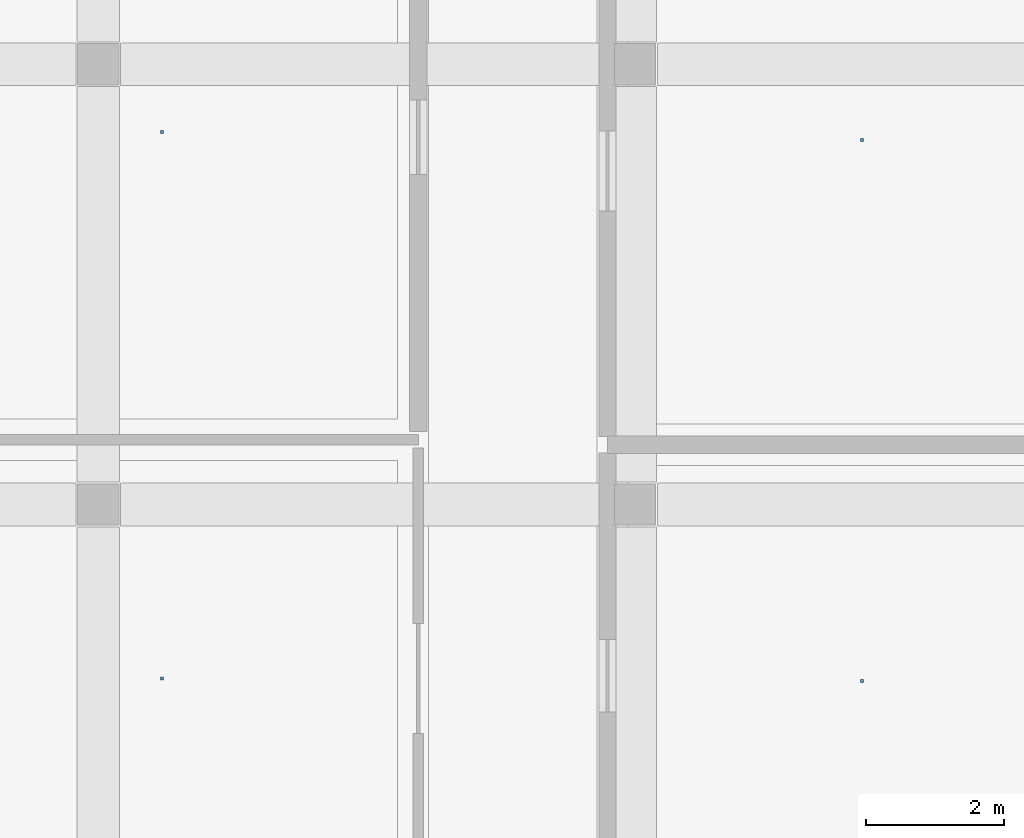
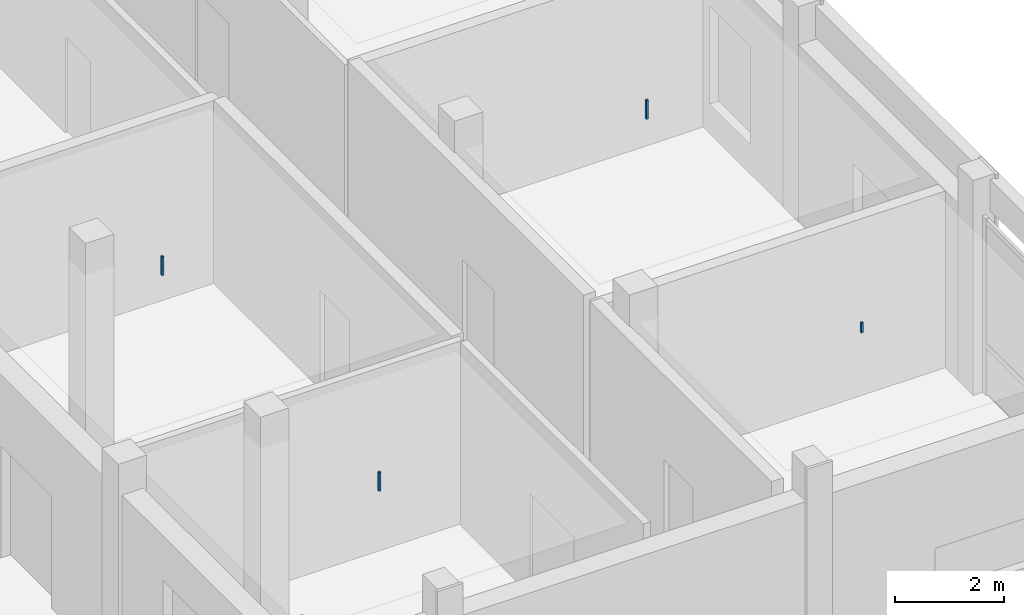
# One storey, part 64 of 88: 4 discrete accessories.
"""IFC4 building model written with IfcOpenShell, lengths in metres."""

from ifc_helpers import new_model, si_unit, derived_unit, direction, frame, origin, origin_2d, place, context, subcontext, project, spatial, rectangle, extrude, material, type_object, element, save


model = new_model("IFC4")

# Units and contexts
model_context = context("Model", 3, precision=1e-05, world=origin(), true_north=direction((0.0, 1.0)))
body_context = subcontext(model_context, "Body", "Model", "MODEL_VIEW")
ifc_project = project(units=[si_unit("LENGTHUNIT", "METRE"), si_unit("AREAUNIT", "SQUARE_METRE"), si_unit("VOLUMEUNIT", "CUBIC_METRE"), si_unit("PLANEANGLEUNIT", "RADIAN"), si_unit("MASSUNIT", "GRAM", prefix="KILO"), derived_unit("THERMALTRANSMITTANCEUNIT", [(si_unit("POWERUNIT", "WATT"), 1), (si_unit("LENGTHUNIT", "METRE"), -2), (si_unit("THERMODYNAMICTEMPERATUREUNIT", "KELVIN"), -1)])], contexts=[model_context])

# Site, building, storey
site_placement = place(None, origin())
site = spatial("IfcSite", under=ifc_project, at=site_placement, CompositionType="ELEMENT")
building_placement = place(site_placement, origin())
building = spatial("IfcBuilding", under=site, at=building_placement, Name="Braskholm Square Health Centre", CompositionType="ELEMENT")
storey_placement = place(building_placement, origin())
storey = spatial("IfcBuildingStorey", under=building, at=storey_placement, Name="L01", CompositionType="ELEMENT", Elevation=0.0)

# Discrete accessories
ifc_material = material(Name="Steel ASTM A500 Grade C", Category="steel")
discrete_accessory_type = type_object("IfcDiscreteAccessoryType", Name="CeilingSuspensionBracket", PredefinedType="BRACKET", material=ifc_material)
discrete_accessory_placement = place(storey_placement, frame((159.89697265625, 8.034912109375, 4.08203125), z_axis=(0.0, 0.0, 1.0), x_axis=(1.0, 0.0, 0.0)))
element("IfcDiscreteAccessory", 1, at=discrete_accessory_placement, inside=storey, type_object=discrete_accessory_type, Name="Ceiling hanger bracket 0113", PredefinedType="BRACKET", context=body_context, shape_type="SweptSolid", body=[
    extrude(rectangle(XDim=0.044921875, YDim=0.044921875, at=origin_2d()), origin(), (0.0, 0.0, 1.0), 0.22998046875),
])
for number, where, z_axis, x_axis, name in (
    (2, (159.89697265625, 15.89990234375, 4.08203125), (0.0, 0.0, 1.0), (1.0, 0.0, 0.0), "Ceiling hanger bracket 0114"),
    (3, (149.72705078125, 8.070068359375, 4.08203125), (0.0, 0.0, 1.0), (1.0, 0.0, 0.0), "Ceiling hanger bracket 0124"),
    (4, (149.72705078125, 16.014892578125, 4.08203125), (0.0, 0.0, 1.0), (1.0, 0.0, 0.0), "Ceiling hanger bracket 0125"),
):
    element("IfcDiscreteAccessory", number, at=place(storey_placement, frame(where, z_axis=z_axis, x_axis=x_axis)), inside=storey, type_object=discrete_accessory_type, Name=name, PredefinedType="BRACKET", context=body_context, shape_type="SweptSolid", body=[
        extrude(rectangle(XDim=0.044921875, YDim=0.044921875, at=origin_2d()), origin(), (0.0, 0.0, 1.0), 0.429931640625),
    ])

save(model, "model.ifc")
